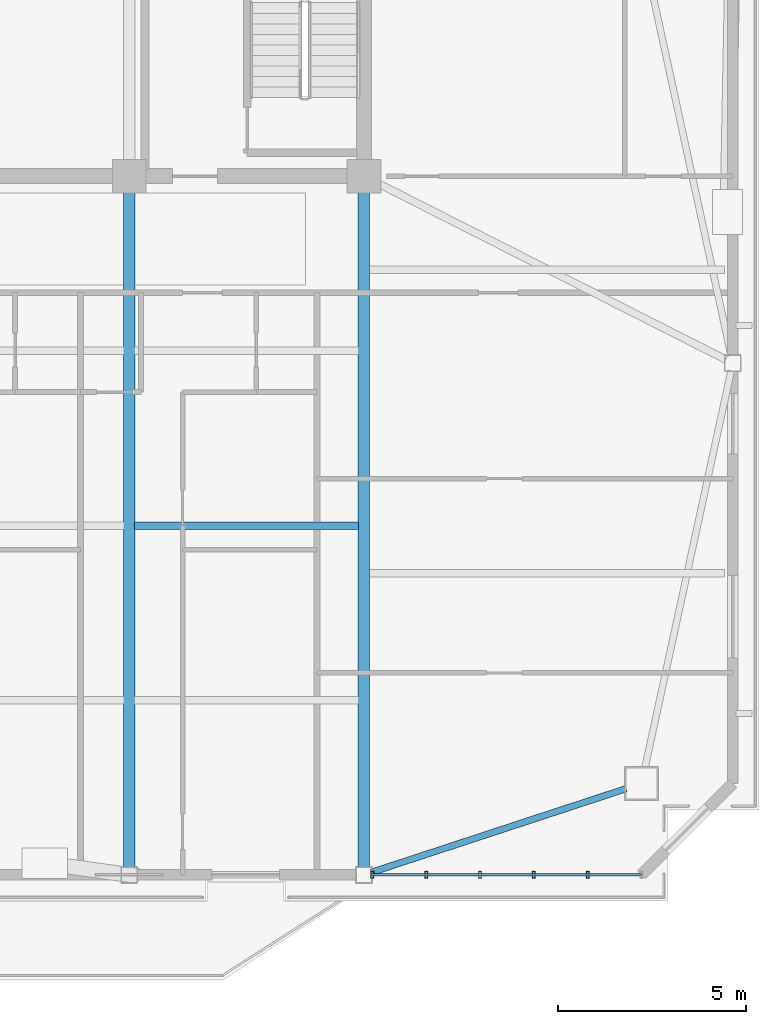
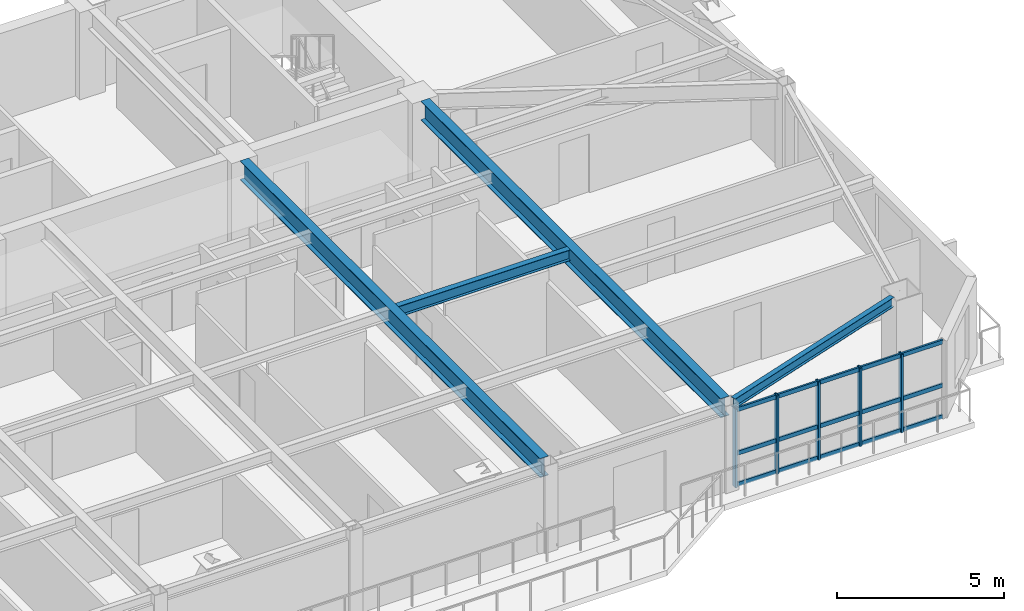
# One storey, part 4 of 15: 8 members, 4 beams, 1 element without a shape of its own.
"""IFC4 building model written with IfcOpenShell, lengths in metres."""

from ifc_helpers import new_model, si_unit, direction, frame, origin, origin_2d, place, context, subcontext, project, spatial, hollow_rectangle, i_section, extrude, source, transform, mapped, material, layer, layer_set, material_profile, profile_set, type_object, element, aggregate, save


model = new_model("IFC4")

# Units and contexts
model_context = context("Model", 3, precision=1e-05, world=origin(), true_north=direction((0.0, 1.0)))
body_context = subcontext(model_context, "Body", "Model", "MODEL_VIEW")
ifc_project = project(units=[si_unit("LENGTHUNIT", "METRE"), si_unit("AREAUNIT", "SQUARE_METRE"), si_unit("VOLUMEUNIT", "CUBIC_METRE"), si_unit("PLANEANGLEUNIT", "RADIAN"), si_unit("MASSUNIT", "GRAM", prefix="KILO")], contexts=[model_context])

# Site, building, storey
site_placement = place(None, origin())
site = spatial("IfcSite", under=ifc_project, at=site_placement, CompositionType="ELEMENT")
building_placement = place(site_placement, origin())
building = spatial("IfcBuilding", under=site, at=building_placement, Name="Giltprow Tower", CompositionType="ELEMENT")
storey_placement = place(building_placement, frame((0.0, 0.0, 293.800048828125)))
storey = spatial("IfcBuildingStorey", under=building, at=storey_placement, Name="L75", CompositionType="ELEMENT", Elevation=293.800048828125)

# Beams
ifc_material_1 = material(Name="Structural steel Q355B", Category="steel")
ifc_material_profile_1 = material_profile(ifc_material_1, i_section(OverallWidth=0.199951171875, OverallDepth=0.39990234375, WebThickness=0.008056640625, FlangeThickness=0.012939453125, at=origin_2d()), Name="HN 400x200x8x13")
ifc_profile_set_1 = profile_set([ifc_material_profile_1], Name="Structural steel Q355B")
beam_type_1 = type_object("IfcBeamType", Name="BM-JOIST-HN400", PredefinedType="JOIST", material=ifc_profile_set_1)
shared_shape_1 = source(origin(), body_context, "Body", "SweptSolid", [
    extrude(i_section(OverallWidth=0.199951171875, OverallDepth=0.39990234375, WebThickness=0.008056640625, FlangeThickness=0.012939453125, at=origin_2d()), origin(), (0.0, 0.0, 1.0), 5.9599609375),
])
beam_1_placement = place(storey_placement, frame((44.445068359375, 28.14599609375, 2.98486328125), z_axis=(1.0, 0.0, 0.0), x_axis=(0.0, 1.0, 0.0)))
element("IfcBeam", 1, at=beam_1_placement, inside=storey, type_object=beam_type_1, Name="L75 Composite Floor Joist 2-4", PredefinedType="JOIST", context=body_context, shape_type="MappedRepresentation", body=[
    mapped(shared_shape_1, transform((0.0, 0.0, 0.0), x_axis=(1.0, 0.0, 0.0), y_axis=(0.0, 1.0, 0.0), z_axis=(0.0, 0.0, 1.0), scale=1.0)),
])
ifc_material_profile_2 = material_profile(ifc_material_1, i_section(OverallWidth=0.175048828125, OverallDepth=0.35009765625, WebThickness=0.007080078125, FlangeThickness=0.010986328125, at=origin_2d()), Name="HN 350x175x7x11")
ifc_profile_set_2 = profile_set([ifc_material_profile_2], Name="Structural steel Q355B")
beam_type_2 = type_object("IfcBeamType", Name="BM-SPAN-HN350", PredefinedType="SPANDREL", material=ifc_profile_set_2)
shared_shape_2 = source(origin(), body_context, "Body", "SweptSolid", [
    extrude(i_section(OverallWidth=0.175048828125, OverallDepth=0.35009765625, WebThickness=0.007080078125, FlangeThickness=0.010986328125, at=origin_2d()), origin(), (0.0, 0.0, 1.0), 7.139892578125),
])
beam_2_placement = place(storey_placement, frame((50.7490234375, 18.906982421875, 3.010009765625), z_axis=(0.950018565555, 0.312193409766, 0.0), x_axis=(-0.312193409766, 0.950018565555, 0.0)))
element("IfcBeam", 2, at=beam_2_placement, inside=storey, type_object=beam_type_2, Name="L75 Perimeter Spandrel Beam S4-MC_SE", PredefinedType="SPANDREL", context=body_context, shape_type="MappedRepresentation", body=[
    mapped(shared_shape_2, transform((0.0, 0.0, 0.0), x_axis=(1.0, 0.0, 0.0), y_axis=(0.0, 1.0, 0.0), z_axis=(0.0, 0.0, 1.0), scale=1.0)),
])
ifc_material_profile_3 = material_profile(ifc_material_1, i_section(OverallWidth=0.300048828125, OverallDepth=0.699951171875, WebThickness=0.012939453125, FlangeThickness=0.02392578125, at=origin_2d()), Name="HN 700x300x13x24")
ifc_profile_set_3 = profile_set([ifc_material_profile_3], Name="Structural steel Q355B")
beam_type_3 = type_object("IfcBeamType", Name="BM-GIRD-HN700", PredefinedType="BEAM", material=ifc_profile_set_3)
shared_shape_3 = source(origin(), body_context, "Body", "SweptSolid", [
    extrude(i_section(OverallWidth=0.300048828125, OverallDepth=0.699951171875, WebThickness=0.012939453125, FlangeThickness=0.02392578125, at=origin_2d()), origin(), (0.0, 0.0, 1.0), 17.9638671875),
])
for number, where, z_axis, x_axis, name in (
    (3, (44.300048828125, 19.051025390625, 2.8349609375), (0.0, 1.0, 0.0), (-1.0, 0.0, 0.0), "L75 Primary Lease Girder S3"),
    (4, (50.550048828125, 19.051025390625, 2.8349609375), (0.0, 1.0, 0.0), (-1.0, 0.0, 0.0), "L75 Primary Lease Girder S4"),
):
    element("IfcBeam", number, at=place(storey_placement, frame(where, z_axis=z_axis, x_axis=x_axis)), inside=storey, type_object=beam_type_3, Name=name, PredefinedType="BEAM", context=body_context, shape_type="MappedRepresentation", body=[
        mapped(shared_shape_3, transform((0.0, 0.0, 0.0), x_axis=(1.0, 0.0, 0.0), y_axis=(0.0, 1.0, 0.0), z_axis=(0.0, 0.0, 1.0), scale=1.0)),
    ])

# Curtain wall, members
ifc_material_2 = material(Name="Anodized bronze", Category="metal")
ifc_layer = layer(ifc_material_2, 0.179931640625, Name="Anodized bronze")
ifc_layer_set = layer_set([ifc_layer], Name="Anodized bronze")
curtain_wall_type = type_object("IfcCurtainWallType", Name="CW-RES-SKY", PredefinedType="NOTDEFINED", material=ifc_layer_set)
curtain_wall_placement = place(storey_placement, origin())
curtain_wall = element("IfcCurtainWall", 5, at=curtain_wall_placement, inside=storey, type_object=curtain_wall_type, Name="L75 South Recessed Curtain Wall 6", PredefinedType="NOTDEFINED")
ifc_material_profile_4 = material_profile(ifc_material_2, hollow_rectangle(XDim=0.074951171875, YDim=0.179931640625, WallThickness=0.008056640625, at=origin_2d()), Name="RHS 180x75x8")
ifc_profile_set_4 = profile_set([ifc_material_profile_4], Name="Anodized bronze")
member_type_1 = type_object("IfcMemberType", Name="CW-MULLION-180x75", PredefinedType="MULLION", material=ifc_profile_set_4)
shared_shape_4 = source(origin(), body_context, "Body", "SweptSolid", [
    extrude(hollow_rectangle(XDim=0.074951171875, YDim=0.179931640625, WallThickness=0.008056640625, at=origin_2d()), origin(), (0.0, 0.0, 1.0), 2.869873046875),
])
member_1_placement = place(storey_placement, frame((50.77490234375, 18.841064453125, -0.02001953125), z_axis=(0.0, 0.0, 1.0), x_axis=(1.0, 0.0, 0.0)))
member_1 = element("IfcMember", 6, at=member_1_placement, type_object=member_type_1, Name="L75 South Recessed Curtain Wall 6 Mullion 1", PredefinedType="MULLION", context=body_context, shape_type="MappedRepresentation", body=[
    mapped(shared_shape_4, transform((0.0, 0.0, 0.0), x_axis=(1.0, 0.0, 0.0), y_axis=(0.0, 1.0, 0.0), z_axis=(0.0, 0.0, 1.0), scale=1.0)),
])
member_2_placement = place(storey_placement, frame((52.208984375, 18.841064453125, -0.02001953125), z_axis=(0.0, 0.0, 1.0), x_axis=(1.0, 0.0, 0.0)))
member_2 = element("IfcMember", 7, at=member_2_placement, type_object=member_type_1, Name="L75 South Recessed Curtain Wall 6 Mullion 2", PredefinedType="MULLION", context=body_context, shape_type="MappedRepresentation", body=[
    mapped(shared_shape_4, transform((0.0, 0.0, 0.0), x_axis=(1.0, 0.0, 0.0), y_axis=(0.0, 1.0, 0.0), z_axis=(0.0, 0.0, 1.0), scale=1.0)),
])
member_3_placement = place(storey_placement, frame((53.64306640625, 18.841064453125, -0.02001953125), z_axis=(0.0, 0.0, 1.0), x_axis=(1.0, 0.0, 0.0)))
member_3 = element("IfcMember", 8, at=member_3_placement, type_object=member_type_1, Name="L75 South Recessed Curtain Wall 6 Mullion 3", PredefinedType="MULLION", context=body_context, shape_type="MappedRepresentation", body=[
    mapped(shared_shape_4, transform((0.0, 0.0, 0.0), x_axis=(1.0, 0.0, 0.0), y_axis=(0.0, 1.0, 0.0), z_axis=(0.0, 0.0, 1.0), scale=1.0)),
])
member_4_placement = place(storey_placement, frame((55.076904296875, 18.841064453125, -0.02001953125), z_axis=(0.0, 0.0, 1.0), x_axis=(1.0, 0.0, 0.0)))
member_4 = element("IfcMember", 9, at=member_4_placement, type_object=member_type_1, Name="L75 South Recessed Curtain Wall 6 Mullion 4", PredefinedType="MULLION", context=body_context, shape_type="MappedRepresentation", body=[
    mapped(shared_shape_4, transform((0.0, 0.0, 0.0), x_axis=(1.0, 0.0, 0.0), y_axis=(0.0, 1.0, 0.0), z_axis=(0.0, 0.0, 1.0), scale=1.0)),
])
member_5_placement = place(storey_placement, frame((56.510986328125, 18.841064453125, -0.02001953125), z_axis=(0.0, 0.0, 1.0), x_axis=(1.0, 0.0, 0.0)))
member_5 = element("IfcMember", 10, at=member_5_placement, type_object=member_type_1, Name="L75 South Recessed Curtain Wall 6 Mullion 5", PredefinedType="MULLION", context=body_context, shape_type="MappedRepresentation", body=[
    mapped(shared_shape_4, transform((0.0, 0.0, 0.0), x_axis=(1.0, 0.0, 0.0), y_axis=(0.0, 1.0, 0.0), z_axis=(0.0, 0.0, 1.0), scale=1.0)),
])
ifc_material_profile_5 = material_profile(ifc_material_2, hollow_rectangle(XDim=0.06494140625, YDim=0.14990234375, WallThickness=0.006103515625, at=origin_2d()), Name="RHS 150x65x6")
ifc_profile_set_5 = profile_set([ifc_material_profile_5], Name="Anodized bronze")
member_type_2 = type_object("IfcMemberType", Name="CW-TRANSOM-150x65", PredefinedType="USERDEFINED", material=ifc_profile_set_5)
shared_shape_5 = source(origin(), body_context, "Body", "SweptSolid", [
    extrude(hollow_rectangle(XDim=0.06494140625, YDim=0.14990234375, WallThickness=0.006103515625, at=origin_2d()), origin(), (0.0, 0.0, 1.0), 7.170166015625),
])
member_6_placement = place(storey_placement, frame((50.77490234375, 18.841064453125, 0.0400390625), z_axis=(1.0, 0.0, 0.0), x_axis=(0.0, 1.0, 0.0)))
member_6 = element("IfcMember", 11, at=member_6_placement, type_object=member_type_2, Name="L75 South Recessed Curtain Wall 6 Transom 1", ObjectType="TRANSOM", PredefinedType="USERDEFINED", context=body_context, shape_type="MappedRepresentation", body=[
    mapped(shared_shape_5, transform((0.0, 0.0, 0.0), x_axis=(1.0, 0.0, 0.0), y_axis=(0.0, 1.0, 0.0), z_axis=(0.0, 0.0, 1.0), scale=1.0)),
])
member_7_placement = place(storey_placement, frame((50.77490234375, 18.841064453125, 1.181884765625), z_axis=(1.0, 0.0, 0.0), x_axis=(0.0, 1.0, 0.0)))
member_7 = element("IfcMember", 12, at=member_7_placement, type_object=member_type_2, Name="L75 South Recessed Curtain Wall 6 Transom 2", ObjectType="TRANSOM", PredefinedType="USERDEFINED", context=body_context, shape_type="MappedRepresentation", body=[
    mapped(shared_shape_5, transform((0.0, 0.0, 0.0), x_axis=(1.0, 0.0, 0.0), y_axis=(0.0, 1.0, 0.0), z_axis=(0.0, 0.0, 1.0), scale=1.0)),
])
member_8_placement = place(storey_placement, frame((50.77490234375, 18.841064453125, 2.77490234375), z_axis=(1.0, 0.0, 0.0), x_axis=(0.0, 1.0, 0.0)))
member_8 = element("IfcMember", 13, at=member_8_placement, type_object=member_type_2, Name="L75 South Recessed Curtain Wall 6 Transom 3", ObjectType="TRANSOM", PredefinedType="USERDEFINED", context=body_context, shape_type="MappedRepresentation", body=[
    mapped(shared_shape_5, transform((0.0, 0.0, 0.0), x_axis=(1.0, 0.0, 0.0), y_axis=(0.0, 1.0, 0.0), z_axis=(0.0, 0.0, 1.0), scale=1.0)),
])
aggregate(curtain_wall, [member_1, member_2, member_3, member_4, member_5, member_6, member_7, member_8])

save(model, "model.ifc")
